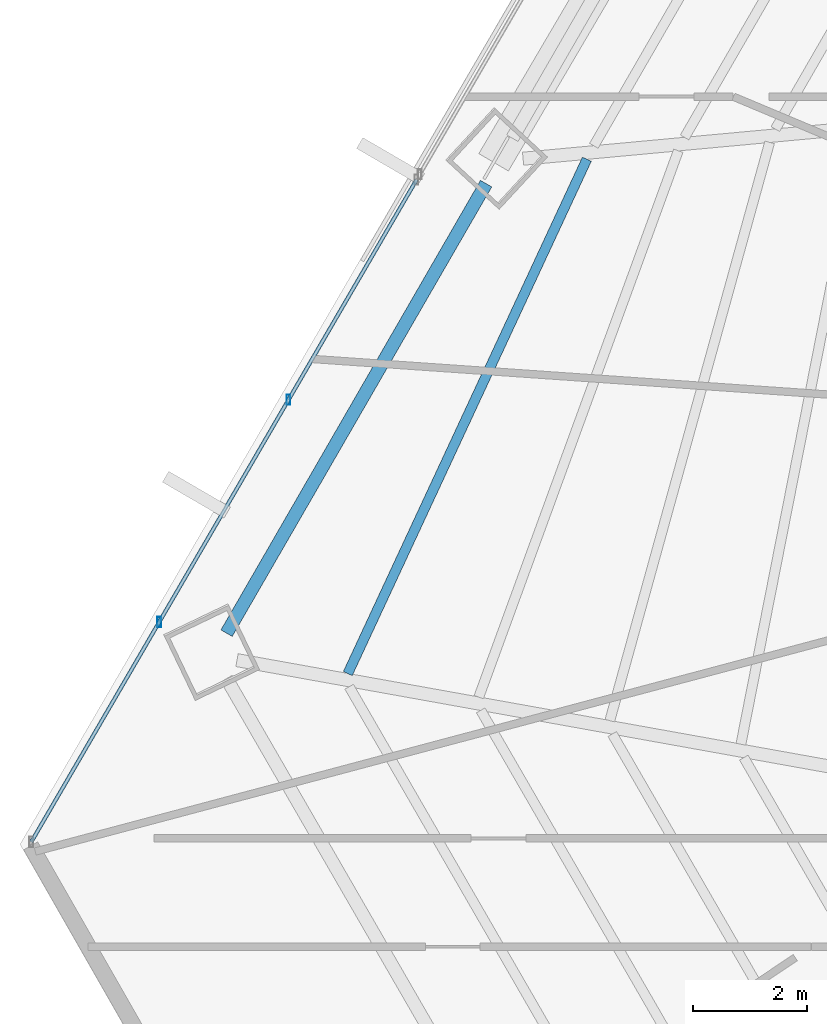
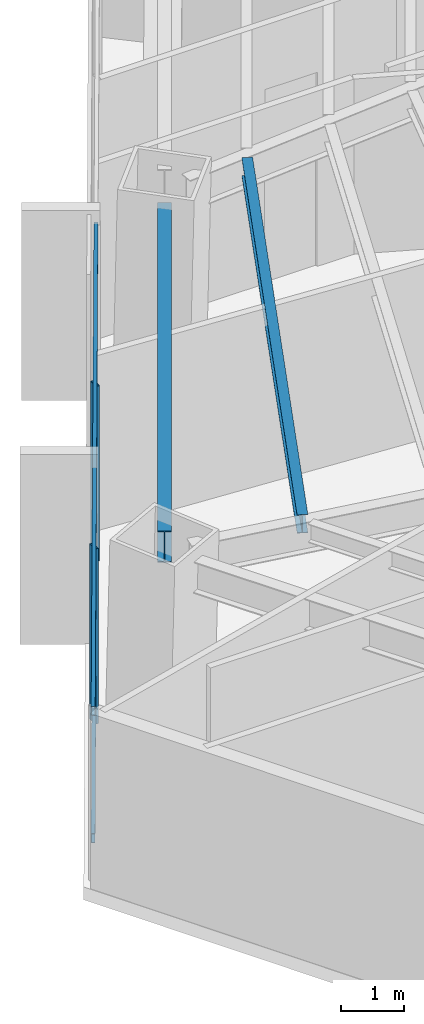
# One storey, part 10 of 35: 4 members, 2 beams, 1 element without a shape of its own.
"""IFC4 building model written with IfcOpenShell, lengths in metres."""

from ifc_helpers import new_model, si_unit, direction, frame, origin, origin_2d, place, context, subcontext, project, spatial, hollow_rectangle, i_section, extrude, source, transform, mapped, material, material_profile, profile_set, type_object, type_shapes, element, aggregate, save


model = new_model("IFC4")

# Units and contexts
model_context = context("Model", 3, precision=1e-05, world=origin(), true_north=direction((0.0, 1.0)))
body_context = subcontext(model_context, "Body", "Model", "MODEL_VIEW")
ifc_project = project(units=[si_unit("LENGTHUNIT", "METRE"), si_unit("AREAUNIT", "SQUARE_METRE"), si_unit("VOLUMEUNIT", "CUBIC_METRE"), si_unit("PLANEANGLEUNIT", "RADIAN"), si_unit("MASSUNIT", "GRAM", prefix="KILO")], contexts=[model_context])

# Site, building, storey
site_placement = place(None, origin())
site = spatial("IfcSite", under=ifc_project, at=site_placement, CompositionType="ELEMENT")
building_placement = place(site_placement, origin())
building = spatial("IfcBuilding", under=site, at=building_placement, Name="Caelisora Broadcast Tower", CompositionType="ELEMENT")
storey_placement = place(building_placement, frame((0.0, 0.0, 53.14990234375)))
storey = spatial("IfcBuildingStorey", under=building, at=storey_placement, Name="L13", CompositionType="ELEMENT", Elevation=53.14990234375)

# Beams
ifc_material_1 = material(Name="Steel Grade 350 (AS/NZS 3679.1)", Category="steel")
ifc_material_profile_1 = material_profile(ifc_material_1, i_section(OverallWidth=0.22900390625, OverallDepth=0.611572265625, WebThickness=0.011962890625, FlangeThickness=0.01953125, at=origin_2d()), Name="Steel Grade 350 (AS/NZS 3679.1)")
ifc_profile_set_1 = profile_set([ifc_material_profile_1], Name="Steel Grade 350 (AS/NZS 3679.1)")
beam_type_1 = type_object("IfcBeamType", Name="PG03", PredefinedType="BEAM", material=ifc_profile_set_1)
shared_shape_1 = source(origin(), body_context, "Body", "SweptSolid", [
    extrude(i_section(OverallWidth=0.22900390625, OverallDepth=0.611572265625, WebThickness=0.011962890625, FlangeThickness=0.01953125, at=origin_2d()), origin(), (0.0, 0.0, 1.0), 9.09716796875),
])
type_shapes(beam_type_1, [shared_shape_1])
beam_1_placement = place(storey_placement, frame((19.138916015625, 28.574951171875, 3.09423828125), z_axis=(-0.499998124367, -0.866026486679, 0.0), x_axis=(0.866026486679, -0.499998124367, 0.0)))
element("IfcBeam", 1, at=beam_1_placement, inside=storey, type_object=beam_type_1, Name="L13 beam PG03", PredefinedType="BEAM", context=body_context, shape_type="MappedRepresentation", body=[
    mapped(shared_shape_1, transform((0.0, 0.0, 0.0), scale=1.0)),
])
ifc_material_profile_2 = material_profile(ifc_material_1, i_section(OverallWidth=0.172119140625, OverallDepth=0.358642578125, WebThickness=0.008056640625, FlangeThickness=0.012939453125, at=origin_2d()), Name="Steel Grade 350 (AS/NZS 3679.1)")
ifc_profile_set_2 = profile_set([ifc_material_profile_2], Name="Steel Grade 350 (AS/NZS 3679.1)")
beam_type_2 = type_object("IfcBeamType", Name="SB02", PredefinedType="JOIST", material=ifc_profile_set_2)
shared_shape_2 = source(origin(), body_context, "Body", "SweptSolid", [
    extrude(i_section(OverallWidth=0.172119140625, OverallDepth=0.358642578125, WebThickness=0.008056640625, FlangeThickness=0.012939453125, at=origin_2d()), origin(), (0.0, 0.0, 1.0), 9.941162109375),
])
type_shapes(beam_type_2, [shared_shape_2])
beam_2_placement = place(storey_placement, frame((20.90478515625, 29.003173828125, 3.220703125), z_axis=(-0.421500186118, -0.90682831512, 0.0), x_axis=(0.90682831512, -0.421500186118, 0.0)))
element("IfcBeam", 2, at=beam_2_placement, inside=storey, type_object=beam_type_2, Name="L13 beam SB02", PredefinedType="JOIST", context=body_context, shape_type="MappedRepresentation", body=[
    mapped(shared_shape_2, transform((0.0, 0.0, 0.0), scale=1.0)),
])

# Curtain wall, members
ifc_material_2 = material(Name="Unitised Aluminium and Low-E Glass Curtain Wall", Category="glass")
curtain_wall_type = type_object("IfcCurtainWallType", Name="CW-Z1", PredefinedType="NOTDEFINED", material=ifc_material_2)
curtain_wall_placement = place(storey_placement, origin())
curtain_wall = element("IfcCurtainWall", 3, at=curtain_wall_placement, inside=storey, type_object=curtain_wall_type, Name="L13 curtain wall CW-Z1", PredefinedType="NOTDEFINED")
ifc_material_3 = material(Name="Aluminium 6063-T6 Anodised Terracotta Bronze", Category="aluminium")
ifc_material_profile_3 = material_profile(ifc_material_3, hollow_rectangle(XDim=0.06494140625, YDim=0.179931640625, WallThickness=0.00341796875, at=origin_2d()), Name="Aluminium 6063-T6 Anodised Terracotta Bronze")
ifc_profile_set_3 = profile_set([ifc_material_profile_3], Name="Aluminium 6063-T6 Anodised Terracotta Bronze")
member_type_1 = type_object("IfcMemberType", Name="CWM-02", PredefinedType="MULLION", material=ifc_profile_set_3)
shared_shape_3 = source(origin(), body_context, "Body", "SweptSolid", [
    extrude(hollow_rectangle(XDim=0.06494140625, YDim=0.179931640625, WallThickness=0.00341796875, at=origin_2d()), origin(), (0.0, 0.0, 1.0), 3.400146484375),
])
type_shapes(member_type_1, [shared_shape_3])
member_1_placement = place(storey_placement, frame((13.410400390625, 20.89208984375, 0.0), z_axis=(0.0, 0.0, 1.0), x_axis=(1.0, 0.0, 0.0)))
member_1 = element("IfcMember", 4, at=member_1_placement, type_object=member_type_1, Name="L13-CW-B09 mullion #1", PredefinedType="MULLION", context=body_context, shape_type="MappedRepresentation", body=[
    mapped(shared_shape_3, transform((0.0, 0.0, 0.0), scale=1.0)),
])
member_2_placement = place(storey_placement, frame((15.677734375, 24.789306640625, 0.0), z_axis=(0.0, 0.0, 1.0), x_axis=(1.0, 0.0, 0.0)))
member_2 = element("IfcMember", 5, at=member_2_placement, type_object=member_type_1, Name="L13-CW-B09 mullion #2", PredefinedType="MULLION", context=body_context, shape_type="MappedRepresentation", body=[
    mapped(shared_shape_3, transform((0.0, 0.0, 0.0), scale=1.0)),
])
ifc_material_profile_4 = material_profile(ifc_material_3, hollow_rectangle(XDim=0.06494140625, YDim=0.179931640625, WallThickness=0.00341796875, at=origin_2d()), Name="Aluminium 6063-T6 Anodised Terracotta Bronze")
ifc_profile_set_4 = profile_set([ifc_material_profile_4], Name="Aluminium 6063-T6 Anodised Terracotta Bronze")
member_type_2 = type_object("IfcMemberType", Name="CWT-01", PredefinedType="USERDEFINED", material=ifc_profile_set_4)
shared_shape_4 = source(origin(), body_context, "Body", "SweptSolid", [
    extrude(hollow_rectangle(XDim=0.06494140625, YDim=0.179931640625, WallThickness=0.00341796875, at=origin_2d()), origin(), (0.0, 0.0, 1.0), 13.42626953125),
])
type_shapes(member_type_2, [shared_shape_4])
member_3_placement = place(storey_placement, frame((11.168212890625, 17.0380859375, 0.85009765625), z_axis=(0.502870113112, 0.864361989758, 0.0), x_axis=(-0.864361989758, 0.502870113112, 0.0)))
member_3 = element("IfcMember", 6, at=member_3_placement, type_object=member_type_2, Name="L13-CW-B09 transom #1", ObjectType="TRANSOM", PredefinedType="USERDEFINED", context=body_context, shape_type="MappedRepresentation", body=[
    mapped(shared_shape_4, transform((0.0, 0.0, 0.0), scale=1.0)),
])
member_4_placement = place(storey_placement, frame((11.168212890625, 17.0380859375, 3.320068359375), z_axis=(0.502870113112, 0.864361989758, 0.0), x_axis=(-0.864361989758, 0.502870113112, 0.0)))
member_4 = element("IfcMember", 7, at=member_4_placement, type_object=member_type_2, Name="L13-CW-B09 transom #2", ObjectType="TRANSOM", PredefinedType="USERDEFINED", context=body_context, shape_type="MappedRepresentation", body=[
    mapped(shared_shape_4, transform((0.0, 0.0, 0.0), scale=1.0)),
])
aggregate(curtain_wall, [member_1, member_2, member_3, member_4])

save(model, "model.ifc")
